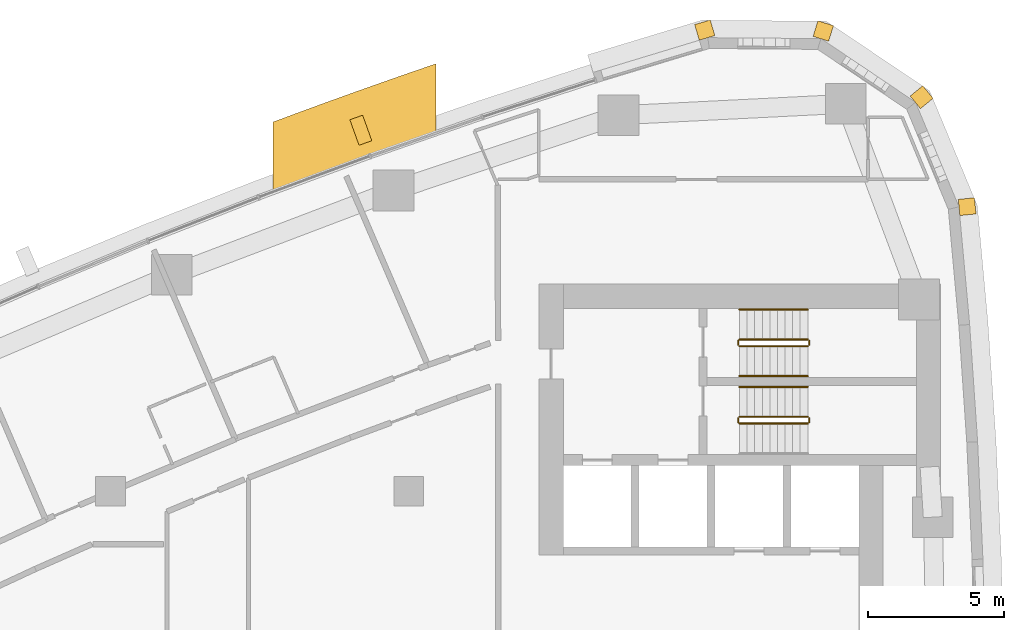
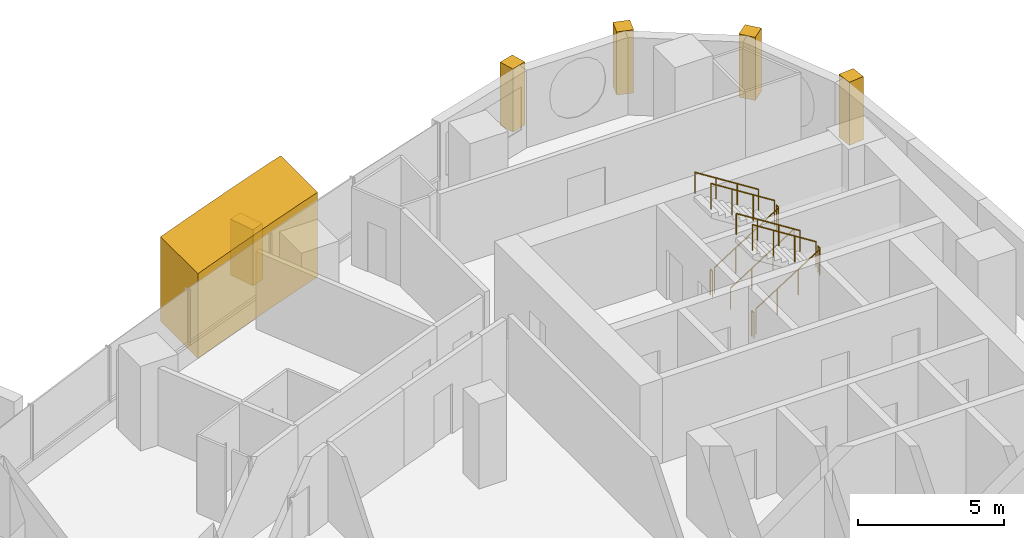
# One storey, part 17 of 17: 11 railings, 6 coverings.
"""IFC4 building model written with IfcOpenShell, lengths in metres."""

from ifc_helpers import new_model, si_unit, direction, frame, frame_2d, origin, origin_2d, place, context, subcontext, project, spatial, polyline, rectangle, circle, outline, extrude, material, layer, layer_set, type_object, element, save


model = new_model("IFC4")

# Units and contexts
model_context = context("Model", 3, precision=1e-05, world=origin(), true_north=direction((0.0, 1.0)))
body_context = subcontext(model_context, "Body", "Model", "MODEL_VIEW")
ifc_project = project(units=[si_unit("LENGTHUNIT", "METRE"), si_unit("AREAUNIT", "SQUARE_METRE"), si_unit("VOLUMEUNIT", "CUBIC_METRE"), si_unit("PLANEANGLEUNIT", "RADIAN"), si_unit("MASSUNIT", "GRAM", prefix="KILO")], contexts=[model_context])

# Site, building, storey
site_placement = place(None, origin())
site = spatial("IfcSite", under=ifc_project, at=site_placement, CompositionType="ELEMENT")
building_placement = place(site_placement, origin())
building = spatial("IfcBuilding", under=site, at=building_placement, Name="Ostrand Prow Hotel Tower", CompositionType="ELEMENT")
storey_placement = place(building_placement, frame((0.0, 0.0, 158.60009765625)))
storey = spatial("IfcBuildingStorey", under=building, at=storey_placement, Name="L39", CompositionType="ELEMENT", Elevation=158.60009765625)

# Coverings
ifc_material_1 = material(Name="Limestone cladding", Category="masonry")
ifc_layer_1 = layer(ifc_material_1, 5.0)
ifc_layer_set_1 = layer_set([ifc_layer_1], Name="Limestone cladding")
covering_type_1 = type_object("IfcCoveringType", Name="Portal jamb pilaster limestone", PredefinedType="CLADDING", material=ifc_layer_set_1)
covering_1_placement = place(storey_placement, origin())
element("IfcCovering", 1, at=covering_1_placement, inside=storey, type_object=covering_type_1, Name="Portal jamb NB L39", PredefinedType="CLADDING", context=body_context, shape_type="SweptSolid", body=[
    extrude(outline(polyline([(40.0, 20.058349609375), (41.0, 20.434326171875), (42.0, 20.804931640625), (43.0, 21.169921875), (44.0, 21.529296875), (45.0, 21.883056640625), (46.0, 22.231689453125), (46.0, 24.769287109375), (45.0, 24.425048828125), (44.0, 24.075439453125), (43.0, 23.720458984375), (42.0, 23.360107421875), (41.0, 22.994140625), (40.0, 22.622802734375), (40.0, 20.058349609375)])), origin(), (0.0, 0.0, 1.0), 3.5498046875),
])
ifc_material_2 = material(Name="Limestone cladding", Category="masonry")
ifc_layer_2 = layer(ifc_material_2, 0.5)
ifc_layer_set_2 = layer_set([ifc_layer_2], Name="Limestone cladding")
covering_type_2 = type_object("IfcCoveringType", Name="Precast stone fin 500x900", PredefinedType="CLADDING", material=ifc_layer_set_2)
covering_2_placement = place(storey_placement, frame((43.402099609375, 21.84619140625, 0.89990234375), z_axis=(0.0, 0.0, 1.0), x_axis=(-0.3378203991, 0.941210591713, 0.0)))
element("IfcCovering", 2, at=covering_2_placement, inside=storey, type_object=covering_type_2, Name="Stone fin N 3", PredefinedType="CLADDING", context=body_context, shape_type="SweptSolid", body=[
    extrude(rectangle(XDim=1.000244140625, YDim=0.5, at=frame_2d((0.5, 0.0))), origin(), (0.0, 0.0, 1.0), 2.35009765625),
])
ifc_material_3 = material(Name="Limestone cladding", Category="masonry")
ifc_layer_3 = layer(ifc_material_3, 0.60009765625)
ifc_layer_set_3 = layer_set([ifc_layer_3], Name="Limestone cladding")
covering_type_3 = type_object("IfcCoveringType", Name="Precast stone prow rib 600x600", PredefinedType="CLADDING", material=ifc_layer_set_3)
covering_3_placement = place(storey_placement, frame((65.296875, 19.467529296875, 0.599853515625), z_axis=(0.0, 0.0, 1.0), x_axis=(0.994854249607, 0.101316445052, 0.0)))
element("IfcCovering", 3, at=covering_3_placement, inside=storey, type_object=covering_type_3, Name="Stone corner rib 14a", PredefinedType="CLADDING", context=body_context, shape_type="SweptSolid", body=[
    extrude(rectangle(XDim=0.60009765625, YDim=0.60009765625, at=frame_2d((0.300048828125, 0.0))), origin(), (0.0, 0.0, 1.0), 2.650146484375),
])
for number, where, z_axis, x_axis, name in (
    (4, (63.68505859375, 23.34521484375, 0.599853515625), (0.0, 0.0, 1.0), (0.773830327772, 0.633392945825, 0.0), "Stone corner rib 15a"),
    (5, (60.201171875, 25.689697265625, 0.599853515625), (0.0, 0.0, 1.0), (0.295515682615, 0.955337888565, 0.0), "Stone corner rib 16a"),
):
    element("IfcCovering", number, at=place(storey_placement, frame(where, z_axis=z_axis, x_axis=x_axis)), inside=storey, type_object=covering_type_3, Name=name, PredefinedType="CLADDING", context=body_context, shape_type="SweptSolid", body=[
        extrude(rectangle(XDim=0.599853515625, YDim=0.60009765625, at=frame_2d((0.2998046875, 0.0))), origin(), (0.0, 0.0, 1.0), 2.650146484375),
    ])
covering_4_placement = place(storey_placement, frame((56.001953125, 25.722412109375, 0.599853515625), z_axis=(0.0, 0.0, 1.0), x_axis=(-0.280734221166, 0.959785547436, 0.0)))
element("IfcCovering", 6, at=covering_4_placement, inside=storey, type_object=covering_type_3, Name="Stone corner rib 16b", PredefinedType="CLADDING", context=body_context, shape_type="SweptSolid", body=[
    extrude(rectangle(XDim=0.60009765625, YDim=0.60009765625, at=frame_2d((0.300048828125, 0.0))), origin(), (0.0, 0.0, 1.0), 2.650146484375),
])

# Railings
ifc_material_4 = material(Name="Painted steel", Category="steel")
railing_type_1 = type_object("IfcRailingType", Name="Stair guard 1100", PredefinedType="GUARDRAIL", material=ifc_material_4)
railing_1_placement = place(storey_placement, frame((57.199951171875, 11.5, 0.177490234375)))
element("IfcRailing", 7, at=railing_1_placement, inside=storey, type_object=railing_type_1, Name="L39 ST1C stair guard 1", PredefinedType="GUARDRAIL", context=body_context, shape_type="SweptSolid", body=[
    extrude(circle(Radius=0.02392578125, at=origin_2d()), frame((0.0, 0.0, 1.076171875), z_axis=(0.84460694969, 0.0, 0.535386869969), x_axis=(0.0, 1.0, 0.0)), (0.0, 0.0, 1.0), 2.983642578125),
    extrude(circle(Radius=0.02099609375, at=origin_2d()), origin(), (0.0, 0.0, 1.0), 1.052001953125),
    extrude(circle(Radius=0.02099609375, at=origin_2d()), frame((0.840087890625, 0.0, 0.532470703125)), (0.0, 0.0, 1.0), 1.052001953125),
    extrude(circle(Radius=0.02099609375, at=origin_2d()), frame((1.679931640625, 0.0, 1.06494140625)), (0.0, 0.0, 1.0), 1.052001953125),
    extrude(circle(Radius=0.02099609375, at=origin_2d()), frame((2.52001953125, 0.0, 1.597412109375)), (0.0, 0.0, 1.0), 1.052001953125),
])
railing_2_placement = place(storey_placement, frame((59.77001953125, 11.550048828125, 1.77490234375)))
element("IfcRailing", 8, at=railing_2_placement, inside=storey, type_object=railing_type_1, Name="L39 ST1C stair guard 2", PredefinedType="GUARDRAIL", context=body_context, shape_type="SweptSolid", body=[
    extrude(circle(Radius=0.02392578125, at=origin_2d()), frame((0.0, 0.0, 1.076171875), z_axis=(0.0, 1.0, 0.0), x_axis=(-1.0, 0.0, 0.0)), (0.0, 0.0, 1.0), 0.14990234375),
    extrude(circle(Radius=0.02099609375, at=origin_2d()), origin(), (0.0, 0.0, 1.0), 1.052001953125),
    extrude(circle(Radius=0.02099609375, at=origin_2d()), frame((0.0, 0.14990234375, 0.0)), (0.0, 0.0, 1.0), 1.052001953125),
])
railing_3_placement = place(storey_placement, frame((59.719970703125, 11.75, 1.952392578125)))
element("IfcRailing", 9, at=railing_3_placement, inside=storey, type_object=railing_type_1, Name="L39 ST1C stair guard 3", PredefinedType="GUARDRAIL", context=body_context, shape_type="SweptSolid", body=[
    extrude(circle(Radius=0.02392578125, at=origin_2d()), frame((0.0, 0.0, 1.076171875), z_axis=(-0.84460694969, 0.0, 0.535386869969), x_axis=(0.0, -1.0, 0.0)), (0.0, 0.0, 1.0), 2.983642578125),
    extrude(circle(Radius=0.02099609375, at=origin_2d()), origin(), (0.0, 0.0, 1.0), 1.052001953125),
    extrude(circle(Radius=0.02099609375, at=origin_2d()), frame((-0.840087890625, 0.0, 0.532470703125)), (0.0, 0.0, 1.0), 1.052001953125),
    extrude(circle(Radius=0.02099609375, at=origin_2d()), frame((-1.679931640625, 0.0, 1.06494140625)), (0.0, 0.0, 1.0), 1.052001953125),
    extrude(circle(Radius=0.02099609375, at=origin_2d()), frame((-2.52001953125, 0.0, 1.597412109375)), (0.0, 0.0, 1.0), 1.052001953125),
])
railing_4_placement = place(storey_placement, frame((57.14990234375, 11.550048828125, 0.0)))
element("IfcRailing", 10, at=railing_4_placement, inside=storey, type_object=railing_type_1, Name="L39 ST1C stair guard 4", PredefinedType="GUARDRAIL", context=body_context, shape_type="SweptSolid", body=[
    extrude(circle(Radius=0.02392578125, at=origin_2d()), frame((0.0, 0.0, 1.076171875), z_axis=(0.0, 1.0, 0.0), x_axis=(-1.0, 0.0, 0.0)), (0.0, 0.0, 1.0), 0.14990234375),
    extrude(circle(Radius=0.02099609375, at=origin_2d()), origin(), (0.0, 0.0, 1.0), 1.052001953125),
    extrude(circle(Radius=0.02099609375, at=origin_2d()), frame((0.0, 0.14990234375, 0.0)), (0.0, 0.0, 1.0), 1.052001953125),
])
railing_5_placement = place(storey_placement, frame((57.199951171875, 14.35009765625, 0.177490234375)))
element("IfcRailing", 11, at=railing_5_placement, inside=storey, type_object=railing_type_1, Name="L39 ST3C stair guard 1", PredefinedType="GUARDRAIL", context=body_context, shape_type="SweptSolid", body=[
    extrude(circle(Radius=0.02392578125, at=origin_2d()), frame((0.0, 0.0, 1.076171875), z_axis=(0.84460694969, 0.0, 0.535386869969), x_axis=(0.0, 1.0, 0.0)), (0.0, 0.0, 1.0), 2.983642578125),
    extrude(circle(Radius=0.02099609375, at=origin_2d()), origin(), (0.0, 0.0, 1.0), 1.052001953125),
    extrude(circle(Radius=0.02099609375, at=origin_2d()), frame((0.840087890625, 0.0, 0.532470703125)), (0.0, 0.0, 1.0), 1.052001953125),
    extrude(circle(Radius=0.02099609375, at=origin_2d()), frame((1.679931640625, 0.0, 1.06494140625)), (0.0, 0.0, 1.0), 1.052001953125),
    extrude(circle(Radius=0.02099609375, at=origin_2d()), frame((2.52001953125, 0.0, 1.597412109375)), (0.0, 0.0, 1.0), 1.052001953125),
])
railing_6_placement = place(storey_placement, frame((59.77001953125, 14.39990234375, 1.77490234375)))
element("IfcRailing", 12, at=railing_6_placement, inside=storey, type_object=railing_type_1, Name="L39 ST3C stair guard 2", PredefinedType="GUARDRAIL", context=body_context, shape_type="SweptSolid", body=[
    extrude(circle(Radius=0.02392578125, at=origin_2d()), frame((0.0, 0.0, 1.076171875), z_axis=(0.0, 1.0, 0.0), x_axis=(-1.0, 0.0, 0.0)), (0.0, 0.0, 1.0), 0.150146484375),
    extrude(circle(Radius=0.02099609375, at=origin_2d()), origin(), (0.0, 0.0, 1.0), 1.052001953125),
    extrude(circle(Radius=0.02099609375, at=origin_2d()), frame((0.0, 0.150146484375, 0.0)), (0.0, 0.0, 1.0), 1.052001953125),
])
railing_7_placement = place(storey_placement, frame((59.719970703125, 14.60009765625, 1.952392578125)))
element("IfcRailing", 13, at=railing_7_placement, inside=storey, type_object=railing_type_1, Name="L39 ST3C stair guard 3", PredefinedType="GUARDRAIL", context=body_context, shape_type="SweptSolid", body=[
    extrude(circle(Radius=0.02392578125, at=origin_2d()), frame((0.0, 0.0, 1.076171875), z_axis=(-0.84460694969, 0.0, 0.535386869969), x_axis=(0.0, -1.0, 0.0)), (0.0, 0.0, 1.0), 2.983642578125),
    extrude(circle(Radius=0.02099609375, at=origin_2d()), origin(), (0.0, 0.0, 1.0), 1.052001953125),
    extrude(circle(Radius=0.02099609375, at=origin_2d()), frame((-0.840087890625, 0.0, 0.532470703125)), (0.0, 0.0, 1.0), 1.052001953125),
    extrude(circle(Radius=0.02099609375, at=origin_2d()), frame((-1.679931640625, 0.0, 1.06494140625)), (0.0, 0.0, 1.0), 1.052001953125),
    extrude(circle(Radius=0.02099609375, at=origin_2d()), frame((-2.52001953125, 0.0, 1.597412109375)), (0.0, 0.0, 1.0), 1.052001953125),
])
railing_8_placement = place(storey_placement, frame((57.14990234375, 14.39990234375, 0.0)))
element("IfcRailing", 14, at=railing_8_placement, inside=storey, type_object=railing_type_1, Name="L39 ST3C stair guard 4", PredefinedType="GUARDRAIL", context=body_context, shape_type="SweptSolid", body=[
    extrude(circle(Radius=0.02392578125, at=origin_2d()), frame((0.0, 0.0, 1.076171875), z_axis=(0.0, 1.0, 0.0), x_axis=(-1.0, 0.0, 0.0)), (0.0, 0.0, 1.0), 0.150146484375),
    extrude(circle(Radius=0.02099609375, at=origin_2d()), origin(), (0.0, 0.0, 1.0), 1.052001953125),
    extrude(circle(Radius=0.02099609375, at=origin_2d()), frame((0.0, 0.150146484375, 0.0)), (0.0, 0.0, 1.0), 1.052001953125),
])
ifc_material_5 = material(Name="Stainless steel", Category="steel")
railing_type_2 = type_object("IfcRailingType", Name="Stair handrail 900", PredefinedType="HANDRAIL", material=ifc_material_5)
railing_9_placement = place(storey_placement, frame((59.719970703125, 12.85009765625, 1.952392578125)))
element("IfcRailing", 15, at=railing_9_placement, inside=storey, type_object=railing_type_2, Name="L39 ST1C stair handrail 2", PredefinedType="HANDRAIL", context=body_context, shape_type="SweptSolid", body=[
    extrude(circle(Radius=0.02392578125, at=origin_2d()), frame((0.0, 0.0, 0.8759765625), z_axis=(-0.84460694969, 0.0, 0.535386869969), x_axis=(0.0, -1.0, 0.0)), (0.0, 0.0, 1.0), 2.983642578125),
    extrude(circle(Radius=0.02099609375, at=origin_2d()), origin(), (0.0, 0.0, 1.0), 0.851806640625),
    extrude(circle(Radius=0.02099609375, at=origin_2d()), frame((-0.840087890625, 0.0, 0.532470703125)), (0.0, 0.0, 1.0), 0.851806640625),
    extrude(circle(Radius=0.02099609375, at=origin_2d()), frame((-1.679931640625, 0.0, 1.06494140625)), (0.0, 0.0, 1.0), 0.851806640625),
    extrude(circle(Radius=0.02099609375, at=origin_2d()), frame((-2.52001953125, 0.0, 1.597412109375)), (0.0, 0.0, 1.0), 0.851806640625),
])
railing_10_placement = place(storey_placement, frame((57.199951171875, 13.25, 0.177490234375)))
element("IfcRailing", 16, at=railing_10_placement, inside=storey, type_object=railing_type_2, Name="L39 ST3C stair handrail 1", PredefinedType="HANDRAIL", context=body_context, shape_type="SweptSolid", body=[
    extrude(circle(Radius=0.02392578125, at=origin_2d()), frame((0.0, 0.0, 0.8759765625), z_axis=(0.84460694969, 0.0, 0.535386869969), x_axis=(0.0, 1.0, 0.0)), (0.0, 0.0, 1.0), 2.983642578125),
    extrude(circle(Radius=0.02099609375, at=origin_2d()), origin(), (0.0, 0.0, 1.0), 0.851806640625),
    extrude(circle(Radius=0.02099609375, at=origin_2d()), frame((0.840087890625, 0.0, 0.532470703125)), (0.0, 0.0, 1.0), 0.851806640625),
    extrude(circle(Radius=0.02099609375, at=origin_2d()), frame((1.679931640625, 0.0, 1.06494140625)), (0.0, 0.0, 1.0), 0.851806640625),
    extrude(circle(Radius=0.02099609375, at=origin_2d()), frame((2.52001953125, 0.0, 1.597412109375)), (0.0, 0.0, 1.0), 0.851806640625),
])
railing_11_placement = place(storey_placement, frame((59.719970703125, 15.699951171875, 1.952392578125)))
element("IfcRailing", 17, at=railing_11_placement, inside=storey, type_object=railing_type_2, Name="L39 ST3C stair handrail 2", PredefinedType="HANDRAIL", context=body_context, shape_type="SweptSolid", body=[
    extrude(circle(Radius=0.02392578125, at=origin_2d()), frame((0.0, 0.0, 0.8759765625), z_axis=(-0.84460694969, 0.0, 0.535386869969), x_axis=(0.0, -1.0, 0.0)), (0.0, 0.0, 1.0), 2.983642578125),
    extrude(circle(Radius=0.02099609375, at=origin_2d()), origin(), (0.0, 0.0, 1.0), 0.851806640625),
    extrude(circle(Radius=0.02099609375, at=origin_2d()), frame((-0.840087890625, 0.0, 0.532470703125)), (0.0, 0.0, 1.0), 0.851806640625),
    extrude(circle(Radius=0.02099609375, at=origin_2d()), frame((-1.679931640625, 0.0, 1.06494140625)), (0.0, 0.0, 1.0), 0.851806640625),
    extrude(circle(Radius=0.02099609375, at=origin_2d()), frame((-2.52001953125, 0.0, 1.597412109375)), (0.0, 0.0, 1.0), 0.851806640625),
])

save(model, "model.ifc")
